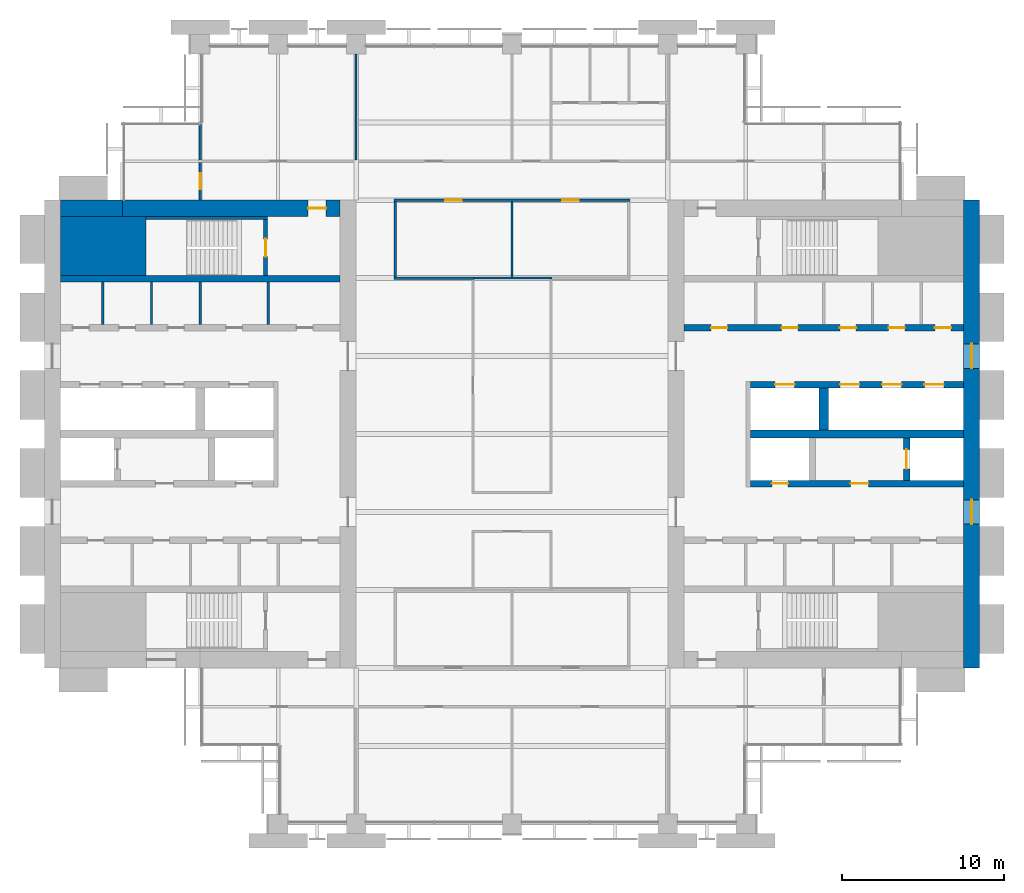
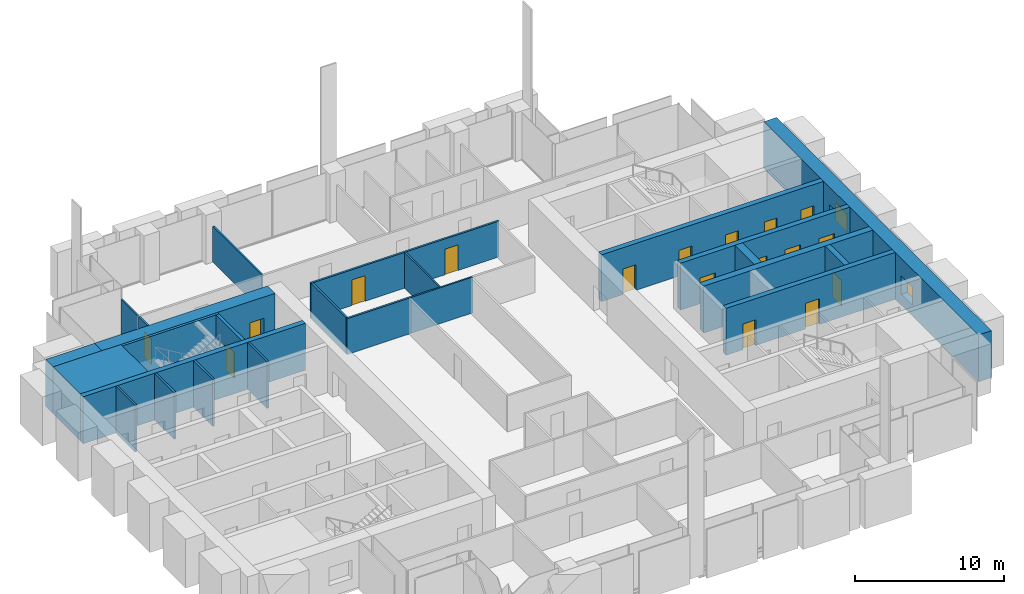
# One storey, part 11 of 14: 25 walls, 17 doors, 2 windows, 19 openings.
"""IFC4 building model written with IfcOpenShell, lengths in metres."""

from ifc_helpers import new_model, si_unit, direction, frame, frame_2d, origin, place, context, subcontext, project, spatial, rectangle, extrude, material, layer, layer_set, type_object, element, fill, save


model = new_model("IFC4")

# Units and contexts
model_context = context("Model", 3, precision=1e-05, world=origin(), true_north=direction((0.0, 1.0)))
body_context = subcontext(model_context, "Body", "Model", "MODEL_VIEW")
ifc_project = project(units=[si_unit("LENGTHUNIT", "METRE"), si_unit("AREAUNIT", "SQUARE_METRE"), si_unit("VOLUMEUNIT", "CUBIC_METRE"), si_unit("PLANEANGLEUNIT", "RADIAN"), si_unit("MASSUNIT", "GRAM", prefix="KILO")], contexts=[model_context])

# Site, building, storey
site_placement = place(None, origin())
site = spatial("IfcSite", under=ifc_project, at=site_placement, CompositionType="ELEMENT")
building_placement = place(site_placement, origin())
building = spatial("IfcBuilding", under=site, at=building_placement, Name="Baori Bourse Tower", CompositionType="ELEMENT")
storey_placement = place(building_placement, frame((0.0, 0.0, 108.10009765625)))
storey = spatial("IfcBuildingStorey", under=building, at=storey_placement, Name="L22", CompositionType="ELEMENT", Elevation=108.10009765625)

# Walls
ifc_material_1 = material(Name="Concrete f'c 60 MPa", Category="concrete")
wall_type_1 = type_object("IfcWallType", Name="Core corner block f'c 60", PredefinedType="SHEAR", material=ifc_material_1)
wall_1_placement = place(storey_placement, frame((1.0, 35.574951171875, 0.0), z_axis=(0.0, 0.0, 1.0), x_axis=(1.0, 0.0, 0.0)))
element("IfcWall", 1, at=wall_1_placement, inside=storey, type_object=wall_type_1, Name="Core wall W28", PredefinedType="SHEAR", context=body_context, shape_type="SweptSolid", body=[
    extrude(rectangle(XDim=5.25, YDim=3.64990234375, at=frame_2d((2.625, 0.0))), origin(), (0.0, 0.0, 1.0), 3.83984375),
])
ifc_material_2 = material(Name="Blockwork partition", Category="masonry")
ifc_layer_1 = layer(ifc_material_2, 0.14990234375)
ifc_layer_set_1 = layer_set([ifc_layer_1], Name="Core partition 150")
wall_type_2 = type_object("IfcWallType", Name="Core partition 150", PredefinedType="PARTITIONING", material=ifc_layer_set_1)
for number, where, z_axis, x_axis, name in (
    (2, (3.60009765625, 30.75, 0.0), (0.0, 0.0, 1.0), (0.0, 1.0, 0.0), "Partition wall W23"),
    (3, (6.60009765625, 30.75, 0.0), (0.0, 0.0, 1.0), (0.0, 1.0, 0.0), "Partition wall W24"),
    (4, (9.60009765625, 30.75, 0.0), (0.0, 0.0, 1.0), (0.0, 1.0, 0.0), "Partition wall W25"),
    (5, (13.800048828125, 30.75, 0.0), (0.0, 0.0, 1.0), (0.0, 1.0, 0.0), "Partition wall W26"),
):
    element("IfcWall", number, at=place(storey_placement, frame(where, z_axis=z_axis, x_axis=x_axis)), inside=storey, type_object=wall_type_2, Name=name, PredefinedType="PARTITIONING", context=body_context, shape_type="SweptSolid", body=[
        extrude(rectangle(XDim=2.60009765625, YDim=0.14990234375, at=frame_2d((1.300048828125, 0.0))), origin(), (0.0, 0.0, 1.0), 3.83984375),
    ])
ifc_material_3 = material(Name="Concrete f'c 60 MPa", Category="concrete")
ifc_layer_2 = layer(ifc_material_3, 1.0)
ifc_layer_set_2 = layer_set([ifc_layer_2], Name="Core wall 1000 f'c 60")
wall_type_3 = type_object("IfcWallType", Name="Core wall 1000 f'c 60", PredefinedType="SHEAR", material=ifc_layer_set_2)
wall_2_placement = place(storey_placement, frame((1.0, 37.89990234375, 0.0), z_axis=(0.0, 0.0, 1.0), x_axis=(1.0, 0.0, 0.0)))
element("IfcWall", 6, at=wall_2_placement, inside=storey, type_object=wall_type_3, Name="Core wall W31", PredefinedType="SHEAR", context=body_context, shape_type="SweptSolid", body=[
    extrude(rectangle(XDim=3.800048828125, YDim=1.0, at=frame_2d((1.89990234375, 0.0))), origin(), (0.0, 0.0, 1.0), 3.83984375),
])

# Wall, opening, door
wall_3_placement = place(storey_placement, frame((4.800048828125, 37.89990234375, 0.0), z_axis=(0.0, 0.0, 1.0), x_axis=(1.0, 0.0, 0.0)))
wall_3 = element("IfcWall", 7, at=wall_3_placement, inside=storey, type_object=wall_type_3, Name="Core wall W32", PredefinedType="SHEAR", context=body_context, shape_type="SweptSolid", body=[
    extrude(rectangle(XDim=13.39990234375, YDim=1.0, at=frame_2d((6.699951171875, 0.0))), origin(), (0.0, 0.0, 1.0), 3.83984375),
])
opening_1_placement = place(wall_3_placement, frame((11.449951171875, 0.0, 0.0)))
opening_1 = element("IfcOpeningElement", 8, at=opening_1_placement, cuts=wall_3, Name="Opening L22-D104", PredefinedType="OPENING", context=body_context, shape_type="SweptSolid", body=[
    extrude(rectangle(XDim=1.10009765625, YDim=2.10009765625, at=frame_2d((0.550048828125, 1.050048828125))), frame((0.0, 0.510009765625, 0.0), z_axis=(0.0, -1.0, 0.0), x_axis=(1.0, 0.0, 0.0)), (0.0, 0.0, 1.0), 1.02001953125),
])
ifc_material_4 = material(Name="Painted steel door", Category="steel")
door_type_1 = type_object("IfcDoorType", Name="Stair door 1100", OperationType="SINGLE_SWING_LEFT", PredefinedType="DOOR", material=ifc_material_4)
door_1_placement = place(opening_1_placement, origin())
door_1 = element("IfcDoor", 9, at=door_1_placement, inside=storey, type_object=door_type_1, Name="Stair vestibule door B W L22", OperationType="SINGLE_SWING_LEFT", OverallHeight=2.10009765625, OverallWidth=1.10009765625, PredefinedType="DOOR", context=body_context, shape_type="SweptSolid", body=[
    extrude(rectangle(XDim=1.10009765625, YDim=2.10009765625, at=frame_2d((0.550048828125, 1.050048828125))), frame((0.0, 0.02490234375, 0.0), z_axis=(0.0, -1.0, 0.0), x_axis=(1.0, 0.0, 0.0)), (0.0, 0.0, 1.0), 0.050048828125),
])
fill(opening_1, door_1)

# Wall, openings, windows
wall_4_placement = place(storey_placement, frame((57.10009765625, 38.39990234375, 0.0), z_axis=(0.0, 0.0, 1.0), x_axis=(0.0, -1.0, 0.0)))
wall_4 = element("IfcWall", 10, at=wall_4_placement, inside=storey, type_object=wall_type_3, Name="Core wall E01", PredefinedType="SHEAR", context=body_context, shape_type="SweptSolid", body=[
    extrude(rectangle(XDim=28.7998046875, YDim=1.0, at=frame_2d((14.39990234375, 0.0))), origin(), (0.0, 0.0, 1.0), 3.83984375),
])
opening_2_placement = place(wall_4_placement, frame((18.449951171875, 0.0, 0.89990234375)))
opening_2 = element("IfcOpeningElement", 11, at=opening_2_placement, cuts=wall_4, Name="Opening L22-KW201", PredefinedType="OPENING", context=body_context, shape_type="SweptSolid", body=[
    extrude(rectangle(XDim=1.5, YDim=1.5, at=frame_2d((0.75, 0.75))), frame((0.0, 0.510009765625, 0.0), z_axis=(0.0, -1.0, 0.0), x_axis=(1.0, 0.0, 0.0)), (0.0, 0.0, 1.0), 1.02001953125),
])
opening_3_placement = place(wall_4_placement, frame((8.85009765625, 0.0, 0.89990234375)))
opening_3 = element("IfcOpeningElement", 12, at=opening_3_placement, cuts=wall_4, Name="Opening L22-KW202", PredefinedType="OPENING", context=body_context, shape_type="SweptSolid", body=[
    extrude(rectangle(XDim=1.5, YDim=1.5, at=frame_2d((0.75, 0.75))), frame((0.0, 0.510009765625, 0.0), z_axis=(0.0, -1.0, 0.0), x_axis=(1.0, 0.0, 0.0)), (0.0, 0.0, 1.0), 1.02001953125),
])
ifc_material_5 = material(Name="Pale anodised aluminium", Category="aluminium")
window_type = type_object("IfcWindowType", Name="Lobby window 1500 x 1500", PartitioningType="SINGLE_PANEL", PredefinedType="WINDOW", material=ifc_material_5)
window_1_placement = place(opening_2_placement, origin())
window_1 = element("IfcWindow", 13, at=window_1_placement, inside=storey, type_object=window_type, Name="Outer wall window E L22 1", OverallHeight=1.5, OverallWidth=1.5, PartitioningType="SINGLE_PANEL", PredefinedType="WINDOW", context=body_context, shape_type="SweptSolid", body=[
    extrude(rectangle(XDim=1.5, YDim=1.5, at=frame_2d((0.75, 0.75))), frame((0.0, 0.030029296875, 0.0), z_axis=(0.0, -1.0, 0.0), x_axis=(1.0, 0.0, 0.0)), (0.0, 0.0, 1.0), 0.06005859375),
])
fill(opening_2, window_1)
window_2_placement = place(opening_3_placement, origin())
window_2 = element("IfcWindow", 14, at=window_2_placement, inside=storey, type_object=window_type, Name="Outer wall window E L22 2", OverallHeight=1.5, OverallWidth=1.5, PartitioningType="SINGLE_PANEL", PredefinedType="WINDOW", context=body_context, shape_type="SweptSolid", body=[
    extrude(rectangle(XDim=1.5, YDim=1.5, at=frame_2d((0.75, 0.75))), frame((0.0, 0.030029296875, 0.0), z_axis=(0.0, -1.0, 0.0), x_axis=(1.0, 0.0, 0.0)), (0.0, 0.0, 1.0), 0.06005859375),
])
fill(opening_3, window_2)

# Wall
ifc_material_6 = material(Name="Gypsum board partition")
ifc_layer_3 = layer(ifc_material_6, 0.14990234375)
ifc_layer_set_3 = layer_set([ifc_layer_3], Name="Corridor partition 150")
wall_type_4 = type_object("IfcWallType", Name="Corridor partition 150", PredefinedType="PARTITIONING", material=ifc_layer_set_3)
wall_5_placement = place(storey_placement, frame((21.52490234375, 33.60009765625, 0.0), z_axis=(0.0, 0.0, 1.0), x_axis=(1.0, 0.0, 0.0)))
element("IfcWall", 15, at=wall_5_placement, inside=storey, type_object=wall_type_4, Name="Partition", PredefinedType="PARTITIONING", context=body_context, shape_type="SweptSolid", body=[
    extrude(rectangle(XDim=4.9501953125, YDim=0.14990234375, at=frame_2d((2.47509765625, 0.0))), origin(), (0.0, 0.0, 1.0), 2.935546875),
])

# Wall, openings, doors
wall_6_placement = place(storey_placement, frame((21.52490234375, 38.39990234375, 0.0), z_axis=(0.0, 0.0, 1.0), x_axis=(1.0, 0.0, 0.0)))
wall_6 = element("IfcWall", 16, at=wall_6_placement, inside=storey, type_object=wall_type_4, Name="Partition", PredefinedType="PARTITIONING", context=body_context, shape_type="SweptSolid", body=[
    extrude(rectangle(XDim=14.550048828125, YDim=0.14990234375, at=frame_2d((7.27490234375, 0.0))), origin(), (0.0, 0.0, 1.0), 2.935546875),
])
opening_4_placement = place(wall_6_placement, frame((3.175048828125, 0.0, 0.0)))
opening_4 = element("IfcOpeningElement", 17, at=opening_4_placement, cuts=wall_6, Name="Opening L22-D08", PredefinedType="OPENING", context=body_context, shape_type="SweptSolid", body=[
    extrude(rectangle(XDim=1.0, YDim=2.10009765625, at=frame_2d((0.5, 1.050048828125))), frame((0.0, 0.0849609375, 0.0), z_axis=(0.0, -1.0, 0.0), x_axis=(1.0, 0.0, 0.0)), (0.0, 0.0, 1.0), 0.169921875),
])
opening_5_placement = place(wall_6_placement, frame((10.375, 0.0, 0.0)))
opening_5 = element("IfcOpeningElement", 18, at=opening_5_placement, cuts=wall_6, Name="Opening L22-D09", PredefinedType="OPENING", context=body_context, shape_type="SweptSolid", body=[
    extrude(rectangle(XDim=1.0, YDim=2.10009765625, at=frame_2d((0.5, 1.050048828125))), frame((0.0, 0.0849609375, 0.0), z_axis=(0.0, -1.0, 0.0), x_axis=(1.0, 0.0, 0.0)), (0.0, 0.0, 1.0), 0.169921875),
])
ifc_material_7 = material(Name="Timber door leaf", Category="wood")
door_type_2 = type_object("IfcDoorType", Name="Door 1000 x 2100", OperationType="SINGLE_SWING_LEFT", PredefinedType="DOOR", material=ifc_material_7)
door_2_placement = place(opening_4_placement, origin())
door_2 = element("IfcDoor", 19, at=door_2_placement, inside=storey, type_object=door_type_2, Name="Door", OperationType="SINGLE_SWING_LEFT", OverallHeight=2.10009765625, OverallWidth=1.0, PredefinedType="DOOR", context=body_context, shape_type="SweptSolid", body=[
    extrude(rectangle(XDim=1.0, YDim=2.10009765625, at=frame_2d((0.5, 1.050048828125))), frame((0.0, 0.02490234375, 0.0), z_axis=(0.0, -1.0, 0.0), x_axis=(1.0, 0.0, 0.0)), (0.0, 0.0, 1.0), 0.050048828125),
])
fill(opening_4, door_2)
door_3_placement = place(opening_5_placement, origin())
door_3 = element("IfcDoor", 20, at=door_3_placement, inside=storey, type_object=door_type_2, Name="Door", OperationType="SINGLE_SWING_RIGHT", OverallHeight=2.10009765625, OverallWidth=1.0, PredefinedType="DOOR", context=body_context, shape_type="SweptSolid", body=[
    extrude(rectangle(XDim=1.0, YDim=2.10009765625, at=frame_2d((0.5, 1.050048828125))), frame((0.0, 0.02490234375, 0.0), z_axis=(0.0, -1.0, 0.0), x_axis=(1.0, 0.0, 0.0)), (0.0, 0.0, 1.0), 0.050048828125),
])
fill(opening_5, door_3)

# Wall, opening, door
wall_7_placement = place(storey_placement, frame((9.60009765625, 38.39990234375, 0.0), z_axis=(0.0, 0.0, 1.0), x_axis=(0.0, 1.0, 0.0)))
wall_7 = element("IfcWall", 21, at=wall_7_placement, inside=storey, type_object=wall_type_4, Name="Partition", PredefinedType="PARTITIONING", context=body_context, shape_type="SweptSolid", body=[
    extrude(rectangle(XDim=2.3251953125, YDim=0.14990234375, at=frame_2d((1.16259765625, 0.0))), origin(), (0.0, 0.0, 1.0), 2.935546875),
])
opening_6_placement = place(wall_7_placement, frame((0.66259765625, 0.0, 0.0)))
opening_6 = element("IfcOpeningElement", 22, at=opening_6_placement, cuts=wall_7, Name="Opening L22-D18", PredefinedType="OPENING", context=body_context, shape_type="SweptSolid", body=[
    extrude(rectangle(XDim=1.0, YDim=2.10009765625, at=frame_2d((0.5, 1.050048828125))), frame((0.0, 0.0849609375, 0.0), z_axis=(0.0, -1.0, 0.0), x_axis=(1.0, 0.0, 0.0)), (0.0, 0.0, 1.0), 0.169921875),
])
door_4_placement = place(opening_6_placement, origin())
door_4 = element("IfcDoor", 23, at=door_4_placement, inside=storey, type_object=door_type_2, Name="Door", OperationType="SINGLE_SWING_RIGHT", OverallHeight=2.10009765625, OverallWidth=1.0, PredefinedType="DOOR", context=body_context, shape_type="SweptSolid", body=[
    extrude(rectangle(XDim=1.0, YDim=2.10009765625, at=frame_2d((0.5, 1.050048828125))), frame((0.0, 0.02490234375, 0.0), z_axis=(0.0, -1.0, 0.0), x_axis=(1.0, 0.0, 0.0)), (0.0, 0.0, 1.0), 0.050048828125),
])
fill(opening_6, door_4)

# Walls
wall_8_placement = place(storey_placement, frame((21.60009765625, 33.675048828125, 0.0), z_axis=(0.0, 0.0, 1.0), x_axis=(0.0, 1.0, 0.0)))
element("IfcWall", 24, at=wall_8_placement, inside=storey, type_object=wall_type_4, Name="Partition", PredefinedType="PARTITIONING", context=body_context, shape_type="SweptSolid", body=[
    extrude(rectangle(XDim=4.64990234375, YDim=0.14990234375, at=frame_2d((2.324951171875, 0.0))), origin(), (0.0, 0.0, 1.0), 2.935546875),
])
ifc_material_8 = material(Name="Gypsum board partition")
ifc_layer_4 = layer(ifc_material_8, 0.125)
ifc_layer_set_4 = layer_set([ifc_layer_4], Name="Partition 125")
wall_type_5 = type_object("IfcWallType", Name="Partition 125", PredefinedType="PARTITIONING", material=ifc_layer_set_4)
wall_9_placement = place(storey_placement, frame((26.47509765625, 33.60009765625, 0.0), z_axis=(0.0, 0.0, 1.0), x_axis=(1.0, 0.0, 0.0)))
element("IfcWall", 25, at=wall_9_placement, inside=storey, type_object=wall_type_5, Name="Partition", PredefinedType="PARTITIONING", context=body_context, shape_type="SweptSolid", body=[
    extrude(rectangle(XDim=4.7998046875, YDim=0.125, at=frame_2d((2.39990234375, 0.0))), origin(), (0.0, 0.0, 1.0), 2.935546875),
])
wall_10_placement = place(storey_placement, frame((9.60009765625, 40.875, 0.0), z_axis=(0.0, 0.0, 1.0), x_axis=(0.0, 1.0, 0.0)))
element("IfcWall", 26, at=wall_10_placement, inside=storey, type_object=wall_type_5, Name="Partition", PredefinedType="PARTITIONING", context=body_context, shape_type="SweptSolid", body=[
    extrude(rectangle(XDim=2.22509765625, YDim=0.125, at=frame_2d((1.112548828125, 0.0))), origin(), (0.0, 0.0, 1.0), 2.935546875),
])
wall_11_placement = place(storey_placement, frame((19.199951171875, 40.875, 0.0), z_axis=(0.0, 0.0, 1.0), x_axis=(0.0, 1.0, 0.0)))
element("IfcWall", 27, at=wall_11_placement, inside=storey, type_object=wall_type_5, Name="Partition", PredefinedType="PARTITIONING", context=body_context, shape_type="SweptSolid", body=[
    extrude(rectangle(XDim=6.52490234375, YDim=0.125, at=frame_2d((3.262451171875, 0.0))), origin(), (0.0, 0.0, 1.0), 2.935546875),
])
wall_12_placement = place(storey_placement, frame((28.800048828125, 33.66259765625, 0.0), z_axis=(0.0, 0.0, 1.0), x_axis=(0.0, 1.0, 0.0)))
element("IfcWall", 28, at=wall_12_placement, inside=storey, type_object=wall_type_5, Name="Partition", PredefinedType="PARTITIONING", context=body_context, shape_type="SweptSolid", body=[
    extrude(rectangle(XDim=4.662353515625, YDim=0.125, at=frame_2d((2.3310546875, 0.0))), origin(), (0.0, 0.0, 1.0), 2.935546875),
])
ifc_material_9 = material(Name="Concrete f'c 60 MPa", Category="concrete")
ifc_layer_5 = layer(ifc_material_9, 0.199951171875)
ifc_layer_set_5 = layer_set([ifc_layer_5], Name="Shaft wall 200 f'c 60")
wall_type_6 = type_object("IfcWallType", Name="Shaft wall 200 f'c 60", PredefinedType="SHEAR", material=ifc_layer_set_5)
wall_13_placement = place(storey_placement, frame((6.25, 37.300048828125, 0.0), z_axis=(0.0, 0.0, 1.0), x_axis=(1.0, 0.0, 0.0)))
element("IfcWall", 29, at=wall_13_placement, inside=storey, type_object=wall_type_6, Name="Core wall W30", PredefinedType="SHEAR", context=body_context, shape_type="SweptSolid", body=[
    extrude(rectangle(XDim=7.5, YDim=0.199951171875, at=frame_2d((3.75, 0.0))), origin(), (0.0, 0.0, 1.0), 3.83984375),
])

# Wall, opening, door
ifc_material_10 = material(Name="Concrete f'c 60 MPa", Category="concrete")
ifc_layer_6 = layer(ifc_material_10, 0.25)
ifc_layer_set_6 = layer_set([ifc_layer_6], Name="Shaft wall 250 f'c 60")
wall_type_7 = type_object("IfcWallType", Name="Shaft wall 250 f'c 60", PredefinedType="SHEAR", material=ifc_layer_set_6)
wall_14_placement = place(storey_placement, frame((13.625, 33.75, 0.0), z_axis=(0.0, 0.0, 1.0), x_axis=(0.0, 1.0, 0.0)))
wall_14 = element("IfcWall", 30, at=wall_14_placement, inside=storey, type_object=wall_type_7, Name="Core wall W29", PredefinedType="SHEAR", context=body_context, shape_type="SweptSolid", body=[
    extrude(rectangle(XDim=3.449951171875, YDim=0.25, at=frame_2d((1.72509765625, 0.0))), origin(), (0.0, 0.0, 1.0), 3.83984375),
])
opening_7_placement = place(wall_14_placement, frame((1.175048828125, 0.0, 0.0)))
opening_7 = element("IfcOpeningElement", 31, at=opening_7_placement, cuts=wall_14, Name="Opening L22-D103", PredefinedType="OPENING", context=body_context, shape_type="SweptSolid", body=[
    extrude(rectangle(XDim=1.10009765625, YDim=2.10009765625, at=frame_2d((0.550048828125, 1.050048828125))), frame((0.0, 0.135009765625, 0.0), z_axis=(0.0, -1.0, 0.0), x_axis=(1.0, 0.0, 0.0)), (0.0, 0.0, 1.0), 0.27001953125),
])
door_5_placement = place(opening_7_placement, origin())
door_5 = element("IfcDoor", 32, at=door_5_placement, inside=storey, type_object=door_type_1, Name="Stair door B W L22", OperationType="SINGLE_SWING_LEFT", OverallHeight=2.10009765625, OverallWidth=1.10009765625, PredefinedType="DOOR", context=body_context, shape_type="SweptSolid", body=[
    extrude(rectangle(XDim=1.10009765625, YDim=2.10009765625, at=frame_2d((0.550048828125, 1.050048828125))), frame((0.0, 0.02490234375, 0.0), z_axis=(0.0, -1.0, 0.0), x_axis=(1.0, 0.0, 0.0)), (0.0, 0.0, 1.0), 0.050048828125),
])
fill(opening_7, door_5)

# Wall
ifc_material_11 = material(Name="Concrete f'c 60 MPa", Category="concrete")
ifc_layer_7 = layer(ifc_material_11, 0.39990234375)
ifc_layer_set_7 = layer_set([ifc_layer_7], Name="Shaft wall 400 f'c 60")
wall_type_8 = type_object("IfcWallType", Name="Shaft wall 400 f'c 60", PredefinedType="SHEAR", material=ifc_layer_set_7)
wall_15_placement = place(storey_placement, frame((1.0, 33.550048828125, 0.0), z_axis=(0.0, 0.0, 1.0), x_axis=(1.0, 0.0, 0.0)))
element("IfcWall", 33, at=wall_15_placement, inside=storey, type_object=wall_type_8, Name="Core wall W27", PredefinedType="SHEAR", context=body_context, shape_type="SweptSolid", body=[
    extrude(rectangle(XDim=17.199951171875, YDim=0.39990234375, at=frame_2d((8.60009765625, 0.0))), origin(), (0.0, 0.0, 1.0), 3.83984375),
])

# Wall, openings, doors
wall_16_placement = place(storey_placement, frame((43.5, 20.949951171875, 0.0), z_axis=(0.0, 0.0, 1.0), x_axis=(1.0, 0.0, 0.0)))
wall_16 = element("IfcWall", 34, at=wall_16_placement, inside=storey, type_object=wall_type_8, Name="Core wall E14", PredefinedType="SHEAR", context=body_context, shape_type="SweptSolid", body=[
    extrude(rectangle(XDim=13.10009765625, YDim=0.39990234375, at=frame_2d((6.550048828125, 0.0))), origin(), (0.0, 0.0, 1.0), 3.83984375),
])
opening_8_placement = place(wall_16_placement, frame((6.14990234375, 0.0, 0.0)))
opening_8 = element("IfcOpeningElement", 35, at=opening_8_placement, cuts=wall_16, Name="Opening L22-D205", PredefinedType="OPENING", context=body_context, shape_type="SweptSolid", body=[
    extrude(rectangle(XDim=1.10009765625, YDim=2.10009765625, at=frame_2d((0.550048828125, 1.050048828125))), frame((0.0, 0.2099609375, 0.0), z_axis=(0.0, -1.0, 0.0), x_axis=(1.0, 0.0, 0.0)), (0.0, 0.0, 1.0), 0.419921875),
])
opening_9_placement = place(wall_16_placement, frame((1.300048828125, 0.0, 0.0)))
opening_9 = element("IfcOpeningElement", 36, at=opening_9_placement, cuts=wall_16, Name="Opening L22-D206", PredefinedType="OPENING", context=body_context, shape_type="SweptSolid", body=[
    extrude(rectangle(XDim=1.0, YDim=2.10009765625, at=frame_2d((0.5, 1.050048828125))), frame((0.0, 0.2099609375, 0.0), z_axis=(0.0, -1.0, 0.0), x_axis=(1.0, 0.0, 0.0)), (0.0, 0.0, 1.0), 0.419921875),
])
ifc_material_12 = material(Name="Painted steel door", Category="steel")
door_type_3 = type_object("IfcDoorType", Name="Lobby door 1100", OperationType="SINGLE_SWING_LEFT", PredefinedType="DOOR", material=ifc_material_12)
door_6_placement = place(opening_8_placement, origin())
door_6 = element("IfcDoor", 37, at=door_6_placement, inside=storey, type_object=door_type_3, Name="Firefighting lobby door E L22", OperationType="SINGLE_SWING_LEFT", OverallHeight=2.10009765625, OverallWidth=1.10009765625, PredefinedType="DOOR", context=body_context, shape_type="SweptSolid", body=[
    extrude(rectangle(XDim=1.10009765625, YDim=2.10009765625, at=frame_2d((0.550048828125, 1.050048828125))), frame((0.0, 0.02490234375, 0.0), z_axis=(0.0, -1.0, 0.0), x_axis=(1.0, 0.0, 0.0)), (0.0, 0.0, 1.0), 0.050048828125),
])
fill(opening_8, door_6)
ifc_material_13 = material(Name="Painted steel door", Category="steel")
door_type_4 = type_object("IfcDoorType", Name="Shaft door 1000", OperationType="SINGLE_SWING_LEFT", PredefinedType="DOOR", material=ifc_material_13)
door_7_placement = place(opening_9_placement, origin())
door_7 = element("IfcDoor", 38, at=door_7_placement, inside=storey, type_object=door_type_4, Name="Riser room door E L22", OperationType="SINGLE_SWING_LEFT", OverallHeight=2.10009765625, OverallWidth=1.0, PredefinedType="DOOR", context=body_context, shape_type="SweptSolid", body=[
    extrude(rectangle(XDim=1.0, YDim=2.10009765625, at=frame_2d((0.5, 1.050048828125))), frame((0.0, 0.02490234375, 0.0), z_axis=(0.0, -1.0, 0.0), x_axis=(1.0, 0.0, 0.0)), (0.0, 0.0, 1.0), 0.050048828125),
])
fill(opening_9, door_7)

# Wall, opening, door
wall_17_placement = place(storey_placement, frame((53.10009765625, 21.14990234375, 0.0), z_axis=(0.0, 0.0, 1.0), x_axis=(0.0, 1.0, 0.0)))
wall_17 = element("IfcWall", 39, at=wall_17_placement, inside=storey, type_object=wall_type_8, Name="Core wall E16", PredefinedType="SHEAR", context=body_context, shape_type="SweptSolid", body=[
    extrude(rectangle(XDim=2.60009765625, YDim=0.39990234375, at=frame_2d((1.300048828125, 0.0))), origin(), (0.0, 0.0, 1.0), 3.83984375),
])
opening_10_placement = place(wall_17_placement, frame((0.699951171875, 0.0, 0.0)))
opening_10 = element("IfcOpeningElement", 40, at=opening_10_placement, cuts=wall_17, Name="Opening L22-D223", PredefinedType="OPENING", context=body_context, shape_type="SweptSolid", body=[
    extrude(rectangle(XDim=1.199951171875, YDim=2.10009765625, at=frame_2d((0.60009765625, 1.050048828125))), frame((0.0, 0.2099609375, 0.0), z_axis=(0.0, -1.0, 0.0), x_axis=(1.0, 0.0, 0.0)), (0.0, 0.0, 1.0), 0.419921875),
])
ifc_material_14 = material(Name="Stainless steel door", Category="steel")
door_type_5 = type_object("IfcDoorType", Name="Lift landing door", OperationType="DOUBLE_DOOR_SLIDING", PredefinedType="DOOR", material=ifc_material_14)
door_8_placement = place(opening_10_placement, origin())
door_8 = element("IfcDoor", 41, at=door_8_placement, inside=storey, type_object=door_type_5, Name="Lift landing door FF2 E L22", OperationType="DOUBLE_DOOR_SLIDING", OverallHeight=2.10009765625, OverallWidth=1.199951171875, PredefinedType="DOOR", context=body_context, shape_type="SweptSolid", body=[
    extrude(rectangle(XDim=1.199951171875, YDim=2.10009765625, at=frame_2d((0.60009765625, 1.050048828125))), frame((0.0, 0.02490234375, 0.0), z_axis=(0.0, -1.0, 0.0), x_axis=(1.0, 0.0, 0.0)), (0.0, 0.0, 1.0), 0.050048828125),
])
fill(opening_10, door_8)

# Wall, openings, doors
wall_18_placement = place(storey_placement, frame((43.5, 27.050048828125, 0.0), z_axis=(0.0, 0.0, 1.0), x_axis=(1.0, 0.0, 0.0)))
wall_18 = element("IfcWall", 42, at=wall_18_placement, inside=storey, type_object=wall_type_8, Name="Core wall E20", PredefinedType="SHEAR", context=body_context, shape_type="SweptSolid", body=[
    extrude(rectangle(XDim=13.10009765625, YDim=0.39990234375, at=frame_2d((6.550048828125, 0.0))), origin(), (0.0, 0.0, 1.0), 3.83984375),
])
opening_11_placement = place(wall_18_placement, frame((10.699951171875, 0.0, 0.0)))
opening_11 = element("IfcOpeningElement", 43, at=opening_11_placement, cuts=wall_18, Name="Opening L22-D219", PredefinedType="OPENING", context=body_context, shape_type="SweptSolid", body=[
    extrude(rectangle(XDim=1.199951171875, YDim=2.10009765625, at=frame_2d((0.60009765625, 1.050048828125))), frame((0.0, 0.2099609375, 0.0), z_axis=(0.0, -1.0, 0.0), x_axis=(1.0, 0.0, 0.0)), (0.0, 0.0, 1.0), 0.419921875),
])
opening_12_placement = place(wall_18_placement, frame((8.10009765625, 0.0, 0.0)))
opening_12 = element("IfcOpeningElement", 44, at=opening_12_placement, cuts=wall_18, Name="Opening L22-D220", PredefinedType="OPENING", context=body_context, shape_type="SweptSolid", body=[
    extrude(rectangle(XDim=1.199951171875, YDim=2.10009765625, at=frame_2d((0.60009765625, 1.050048828125))), frame((0.0, 0.2099609375, 0.0), z_axis=(0.0, -1.0, 0.0), x_axis=(1.0, 0.0, 0.0)), (0.0, 0.0, 1.0), 0.419921875),
])
opening_13_placement = place(wall_18_placement, frame((5.5, 0.0, 0.0)))
opening_13 = element("IfcOpeningElement", 45, at=opening_13_placement, cuts=wall_18, Name="Opening L22-D221", PredefinedType="OPENING", context=body_context, shape_type="SweptSolid", body=[
    extrude(rectangle(XDim=1.199951171875, YDim=2.10009765625, at=frame_2d((0.60009765625, 1.050048828125))), frame((0.0, 0.2099609375, 0.0), z_axis=(0.0, -1.0, 0.0), x_axis=(1.0, 0.0, 0.0)), (0.0, 0.0, 1.0), 0.419921875),
])
opening_14_placement = place(wall_18_placement, frame((1.5, 0.0, 0.0)))
opening_14 = element("IfcOpeningElement", 46, at=opening_14_placement, cuts=wall_18, Name="Opening L22-D222", PredefinedType="OPENING", context=body_context, shape_type="SweptSolid", body=[
    extrude(rectangle(XDim=1.199951171875, YDim=2.10009765625, at=frame_2d((0.60009765625, 1.050048828125))), frame((0.0, 0.2099609375, 0.0), z_axis=(0.0, -1.0, 0.0), x_axis=(1.0, 0.0, 0.0)), (0.0, 0.0, 1.0), 0.419921875),
])
door_9_placement = place(opening_11_placement, origin())
door_9 = element("IfcDoor", 47, at=door_9_placement, inside=storey, type_object=door_type_5, Name="Lift landing door SH1 E L22", OperationType="DOUBLE_DOOR_SLIDING", OverallHeight=2.10009765625, OverallWidth=1.199951171875, PredefinedType="DOOR", context=body_context, shape_type="SweptSolid", body=[
    extrude(rectangle(XDim=1.199951171875, YDim=2.10009765625, at=frame_2d((0.60009765625, 1.050048828125))), frame((0.0, 0.02490234375, 0.0), z_axis=(0.0, -1.0, 0.0), x_axis=(1.0, 0.0, 0.0)), (0.0, 0.0, 1.0), 0.050048828125),
])
fill(opening_11, door_9)
door_10_placement = place(opening_12_placement, origin())
door_10 = element("IfcDoor", 48, at=door_10_placement, inside=storey, type_object=door_type_5, Name="Lift landing door SH2 E L22", OperationType="DOUBLE_DOOR_SLIDING", OverallHeight=2.10009765625, OverallWidth=1.199951171875, PredefinedType="DOOR", context=body_context, shape_type="SweptSolid", body=[
    extrude(rectangle(XDim=1.199951171875, YDim=2.10009765625, at=frame_2d((0.60009765625, 1.050048828125))), frame((0.0, 0.02490234375, 0.0), z_axis=(0.0, -1.0, 0.0), x_axis=(1.0, 0.0, 0.0)), (0.0, 0.0, 1.0), 0.050048828125),
])
fill(opening_12, door_10)
door_11_placement = place(opening_13_placement, origin())
door_11 = element("IfcDoor", 49, at=door_11_placement, inside=storey, type_object=door_type_5, Name="Lift landing door SH3 E L22", OperationType="DOUBLE_DOOR_SLIDING", OverallHeight=2.10009765625, OverallWidth=1.199951171875, PredefinedType="DOOR", context=body_context, shape_type="SweptSolid", body=[
    extrude(rectangle(XDim=1.199951171875, YDim=2.10009765625, at=frame_2d((0.60009765625, 1.050048828125))), frame((0.0, 0.02490234375, 0.0), z_axis=(0.0, -1.0, 0.0), x_axis=(1.0, 0.0, 0.0)), (0.0, 0.0, 1.0), 0.050048828125),
])
fill(opening_13, door_11)
door_12_placement = place(opening_14_placement, origin())
door_12 = element("IfcDoor", 50, at=door_12_placement, inside=storey, type_object=door_type_5, Name="Lift landing door SV1 E L22", OperationType="DOUBLE_DOOR_SLIDING", OverallHeight=2.10009765625, OverallWidth=1.199951171875, PredefinedType="DOOR", context=body_context, shape_type="SweptSolid", body=[
    extrude(rectangle(XDim=1.199951171875, YDim=2.10009765625, at=frame_2d((0.60009765625, 1.050048828125))), frame((0.0, 0.02490234375, 0.0), z_axis=(0.0, -1.0, 0.0), x_axis=(1.0, 0.0, 0.0)), (0.0, 0.0, 1.0), 0.050048828125),
])
fill(opening_14, door_12)

wall_19_placement = place(storey_placement, frame((39.39990234375, 30.550048828125, 0.0), z_axis=(0.0, 0.0, 1.0), x_axis=(1.0, 0.0, 0.0)))
wall_19 = element("IfcWall", 51, at=wall_19_placement, inside=storey, type_object=wall_type_8, Name="Core wall E21", PredefinedType="SHEAR", context=body_context, shape_type="SweptSolid", body=[
    extrude(rectangle(XDim=17.2001953125, YDim=0.39990234375, at=frame_2d((8.60009765625, 0.0))), origin(), (0.0, 0.0, 1.0), 3.83984375),
])
opening_15_placement = place(wall_19_placement, frame((15.4375, 0.0, 0.0)))
opening_15 = element("IfcOpeningElement", 52, at=opening_15_placement, cuts=wall_19, Name="Opening L22-D209", PredefinedType="OPENING", context=body_context, shape_type="SweptSolid", body=[
    extrude(rectangle(XDim=1.0, YDim=2.10009765625, at=frame_2d((0.5, 1.050048828125))), frame((0.0, 0.2099609375, 0.0), z_axis=(0.0, -1.0, 0.0), x_axis=(1.0, 0.0, 0.0)), (0.0, 0.0, 1.0), 0.419921875),
])
opening_16_placement = place(wall_19_placement, frame((12.60009765625, 0.0, 0.0)))
opening_16 = element("IfcOpeningElement", 53, at=opening_16_placement, cuts=wall_19, Name="Opening L22-D210", PredefinedType="OPENING", context=body_context, shape_type="SweptSolid", body=[
    extrude(rectangle(XDim=1.0, YDim=2.10009765625, at=frame_2d((0.5, 1.050048828125))), frame((0.0, 0.2099609375, 0.0), z_axis=(0.0, -1.0, 0.0), x_axis=(1.0, 0.0, 0.0)), (0.0, 0.0, 1.0), 0.419921875),
])
opening_17_placement = place(wall_19_placement, frame((9.60009765625, 0.0, 0.0)))
opening_17 = element("IfcOpeningElement", 54, at=opening_17_placement, cuts=wall_19, Name="Opening L22-D211", PredefinedType="OPENING", context=body_context, shape_type="SweptSolid", body=[
    extrude(rectangle(XDim=1.0, YDim=2.10009765625, at=frame_2d((0.5, 1.050048828125))), frame((0.0, 0.2099609375, 0.0), z_axis=(0.0, -1.0, 0.0), x_axis=(1.0, 0.0, 0.0)), (0.0, 0.0, 1.0), 0.419921875),
])
opening_18_placement = place(wall_19_placement, frame((6.0, 0.0, 0.0)))
opening_18 = element("IfcOpeningElement", 55, at=opening_18_placement, cuts=wall_19, Name="Opening L22-D212", PredefinedType="OPENING", context=body_context, shape_type="SweptSolid", body=[
    extrude(rectangle(XDim=1.0, YDim=2.10009765625, at=frame_2d((0.5, 1.050048828125))), frame((0.0, 0.2099609375, 0.0), z_axis=(0.0, -1.0, 0.0), x_axis=(1.0, 0.0, 0.0)), (0.0, 0.0, 1.0), 0.419921875),
])
opening_19_placement = place(wall_19_placement, frame((1.66259765625, 0.0, 0.0)))
opening_19 = element("IfcOpeningElement", 56, at=opening_19_placement, cuts=wall_19, Name="Opening L22-D213", PredefinedType="OPENING", context=body_context, shape_type="SweptSolid", body=[
    extrude(rectangle(XDim=1.0, YDim=2.10009765625, at=frame_2d((0.5, 1.050048828125))), frame((0.0, 0.2099609375, 0.0), z_axis=(0.0, -1.0, 0.0), x_axis=(1.0, 0.0, 0.0)), (0.0, 0.0, 1.0), 0.419921875),
])
ifc_material_15 = material(Name="Painted steel door", Category="steel")
door_type_6 = type_object("IfcDoorType", Name="Core door 1000", OperationType="SINGLE_SWING_LEFT", PredefinedType="DOOR", material=ifc_material_15)
door_13_placement = place(opening_15_placement, origin())
door_13 = element("IfcDoor", 57, at=door_13_placement, inside=storey, type_object=door_type_6, Name="Pantry door E L22", OperationType="SINGLE_SWING_LEFT", OverallHeight=2.10009765625, OverallWidth=1.0, PredefinedType="DOOR", context=body_context, shape_type="SweptSolid", body=[
    extrude(rectangle(XDim=1.0, YDim=2.10009765625, at=frame_2d((0.5, 1.050048828125))), frame((0.0, 0.02490234375, 0.0), z_axis=(0.0, -1.0, 0.0), x_axis=(1.0, 0.0, 0.0)), (0.0, 0.0, 1.0), 0.050048828125),
])
fill(opening_15, door_13)
door_14_placement = place(opening_16_placement, origin())
door_14 = element("IfcDoor", 58, at=door_14_placement, inside=storey, type_object=door_type_6, Name="Accessible Wc door E L22", OperationType="SINGLE_SWING_LEFT", OverallHeight=2.10009765625, OverallWidth=1.0, PredefinedType="DOOR", context=body_context, shape_type="SweptSolid", body=[
    extrude(rectangle(XDim=1.0, YDim=2.10009765625, at=frame_2d((0.5, 1.050048828125))), frame((0.0, 0.02490234375, 0.0), z_axis=(0.0, -1.0, 0.0), x_axis=(1.0, 0.0, 0.0)), (0.0, 0.0, 1.0), 0.050048828125),
])
fill(opening_16, door_14)
door_15_placement = place(opening_17_placement, origin())
door_15 = element("IfcDoor", 59, at=door_15_placement, inside=storey, type_object=door_type_6, Name="Store Room door E L22", OperationType="SINGLE_SWING_LEFT", OverallHeight=2.10009765625, OverallWidth=1.0, PredefinedType="DOOR", context=body_context, shape_type="SweptSolid", body=[
    extrude(rectangle(XDim=1.0, YDim=2.10009765625, at=frame_2d((0.5, 1.050048828125))), frame((0.0, 0.02490234375, 0.0), z_axis=(0.0, -1.0, 0.0), x_axis=(1.0, 0.0, 0.0)), (0.0, 0.0, 1.0), 0.050048828125),
])
fill(opening_17, door_15)
door_16_placement = place(opening_18_placement, origin())
door_16 = element("IfcDoor", 60, at=door_16_placement, inside=storey, type_object=door_type_6, Name="Men'S Wc door E L22", OperationType="SINGLE_SWING_LEFT", OverallHeight=2.10009765625, OverallWidth=1.0, PredefinedType="DOOR", context=body_context, shape_type="SweptSolid", body=[
    extrude(rectangle(XDim=1.0, YDim=2.10009765625, at=frame_2d((0.5, 1.050048828125))), frame((0.0, 0.02490234375, 0.0), z_axis=(0.0, -1.0, 0.0), x_axis=(1.0, 0.0, 0.0)), (0.0, 0.0, 1.0), 0.050048828125),
])
fill(opening_18, door_16)
door_17_placement = place(opening_19_placement, origin())
door_17 = element("IfcDoor", 61, at=door_17_placement, inside=storey, type_object=door_type_6, Name="Women'S Wc door E L22", OperationType="SINGLE_SWING_LEFT", OverallHeight=2.10009765625, OverallWidth=1.0, PredefinedType="DOOR", context=body_context, shape_type="SweptSolid", body=[
    extrude(rectangle(XDim=1.0, YDim=2.10009765625, at=frame_2d((0.5, 1.050048828125))), frame((0.0, 0.02490234375, 0.0), z_axis=(0.0, -1.0, 0.0), x_axis=(1.0, 0.0, 0.0)), (0.0, 0.0, 1.0), 0.050048828125),
])
fill(opening_19, door_17)

# Walls
ifc_material_16 = material(Name="Concrete f'c 60 MPa", Category="concrete")
ifc_layer_8 = layer(ifc_material_16, 0.5)
ifc_layer_set_8 = layer_set([ifc_layer_8], Name="Shaft wall 500 f'c 60")
wall_type_9 = type_object("IfcWallType", Name="Shaft wall 500 f'c 60", PredefinedType="SHEAR", material=ifc_layer_set_8)
wall_20_placement = place(storey_placement, frame((43.5, 24.0, 0.0), z_axis=(0.0, 0.0, 1.0), x_axis=(1.0, 0.0, 0.0)))
element("IfcWall", 62, at=wall_20_placement, inside=storey, type_object=wall_type_9, Name="Core wall E18", PredefinedType="SHEAR", context=body_context, shape_type="SweptSolid", body=[
    extrude(rectangle(XDim=13.10009765625, YDim=0.5, at=frame_2d((6.550048828125, 0.0))), origin(), (0.0, 0.0, 1.0), 3.83984375),
])
ifc_material_17 = material(Name="Concrete f'c 60 MPa", Category="concrete")
ifc_layer_9 = layer(ifc_material_17, 0.60009765625)
ifc_layer_set_9 = layer_set([ifc_layer_9], Name="Shaft wall 600 f'c 60")
wall_type_10 = type_object("IfcWallType", Name="Shaft wall 600 f'c 60", PredefinedType="SHEAR", material=ifc_layer_set_9)
wall_21_placement = place(storey_placement, frame((48.0, 24.25, 0.0), z_axis=(0.0, 0.0, 1.0), x_axis=(0.0, 1.0, 0.0)))
element("IfcWall", 63, at=wall_21_placement, inside=storey, type_object=wall_type_10, Name="Core wall E19", PredefinedType="SHEAR", context=body_context, shape_type="SweptSolid", body=[
    extrude(rectangle(XDim=2.60009765625, YDim=0.60009765625, at=frame_2d((1.300048828125, 0.0))), origin(), (0.0, 0.0, 1.0), 3.83984375),
])

save(model, "model.ifc")
